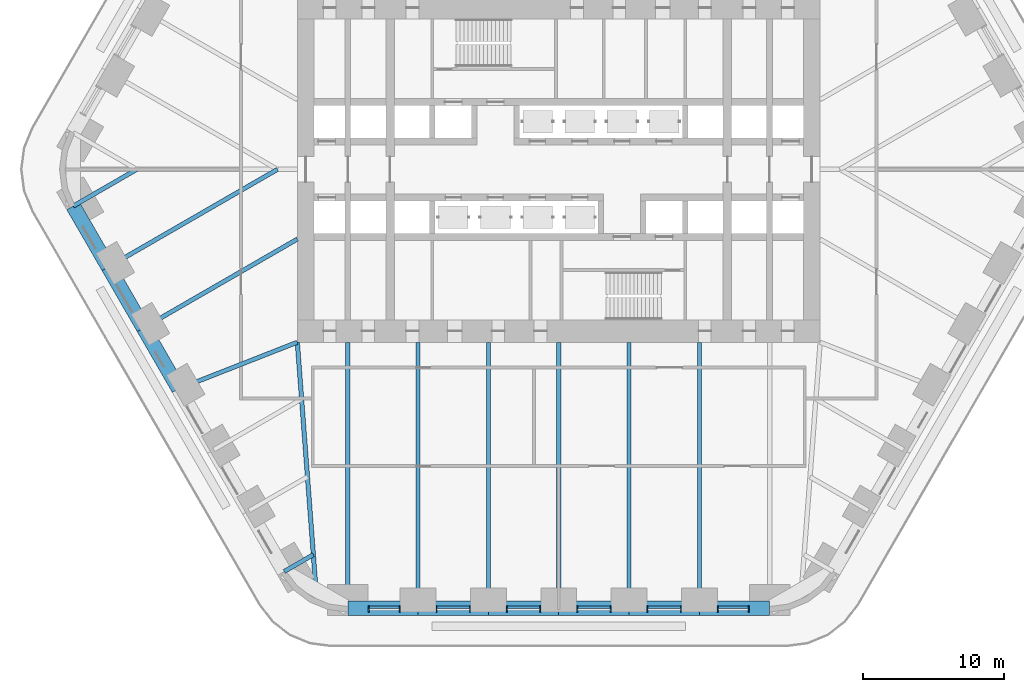
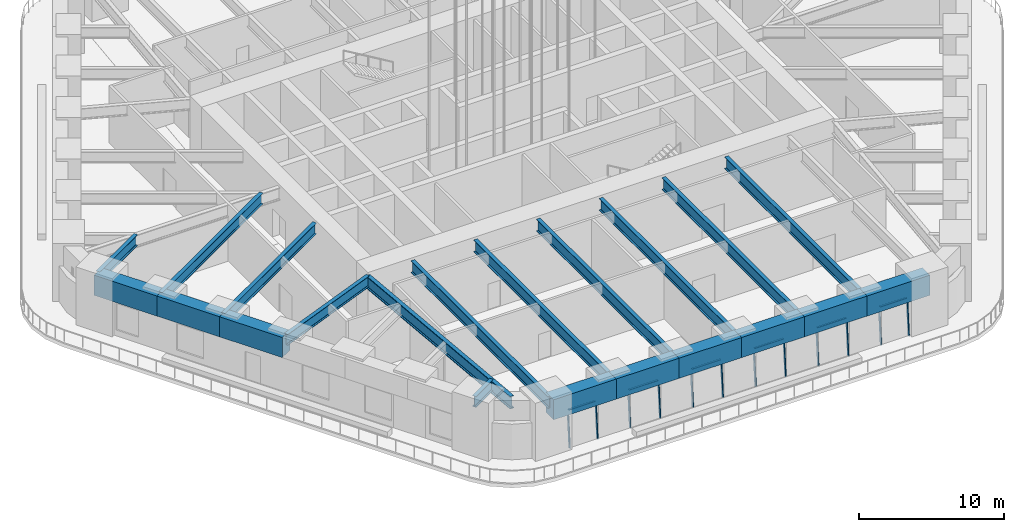
# One storey, part 2 of 15: 21 beams, 18 members, 6 elements without a shape of their own.
"""IFC4 building model written with IfcOpenShell, lengths in metres."""

from ifc_helpers import new_model, si_unit, direction, frame, origin, origin_2d, place, context, subcontext, project, spatial, rectangle, i_section, extrude, material, material_profile, profile_set, type_object, element, aggregate, save


model = new_model("IFC4")

# Units and contexts
model_context = context("Model", 3, precision=1e-05, world=origin(), true_north=direction((0.0, 1.0)))
body_context = subcontext(model_context, "Body", "Model", "MODEL_VIEW")
ifc_project = project(units=[si_unit("LENGTHUNIT", "METRE"), si_unit("AREAUNIT", "SQUARE_METRE"), si_unit("VOLUMEUNIT", "CUBIC_METRE"), si_unit("PLANEANGLEUNIT", "RADIAN"), si_unit("MASSUNIT", "GRAM", prefix="KILO")], contexts=[model_context])

# Site, building, storey
site_placement = place(None, origin())
site = spatial("IfcSite", under=ifc_project, at=site_placement, CompositionType="ELEMENT")
building_placement = place(site_placement, origin())
building = spatial("IfcBuilding", under=site, at=building_placement, Name="Tarfa Lantern Tower", CompositionType="ELEMENT")
storey_placement = place(building_placement, frame((0.0, 0.0, 114.5)))
storey = spatial("IfcBuildingStorey", under=building, at=storey_placement, Name="L25", CompositionType="ELEMENT", Elevation=114.5)

# Curtain wall, members
ifc_material_1 = material(Name="Aluminium framed curtain wall", Category="aluminium")
curtain_wall_type = type_object("IfcCurtainWallType", Name="CW5 CANTED GLAZING SKY LOBBY 3100", PredefinedType="USERDEFINED", material=ifc_material_1)
curtain_wall_1_placement = place(storey_placement, origin())
curtain_wall_1 = element("IfcCurtainWall", 1, at=curtain_wall_1_placement, inside=storey, type_object=curtain_wall_type, Name="CW5 S L25", ObjectType="CURTAIN WALL", PredefinedType="USERDEFINED")
ifc_material_2 = material(Name="Aluminium mullion", Category="aluminium")
ifc_material_profile_1 = material_profile(ifc_material_2, rectangle(XDim=0.06494140625, YDim=0.199951171875, at=origin_2d()), Name="AL MULLION 65x200")
ifc_profile_set_1 = profile_set([ifc_material_profile_1], Name="Aluminium mullion")
member_type_1 = type_object("IfcMemberType", Name="CWM1 MULLION 65x200", PredefinedType="MULLION", material=ifc_profile_set_1)
member_1_placement = place(storey_placement, frame((-13.528564453125, -31.39990234375, 0.0), z_axis=(0.0, 0.080381674097, 0.996764157898), x_axis=(-1.0, 0.0, 0.0)))
member_1 = element("IfcMember", 2, at=member_1_placement, type_object=member_type_1, Name="CW5 mullion 1", PredefinedType="MULLION", context=body_context, shape_type="SweptSolid", body=[
    extrude(rectangle(XDim=0.06494140625, YDim=0.199951171875, at=origin_2d()), origin(), (0.0, 0.0, 1.0), 3.110107421875),
])
member_2_placement = place(storey_placement, frame((-11.31494140625, -31.39990234375, 0.0), z_axis=(0.0, 0.080381674097, 0.996764157898), x_axis=(-1.0, 0.0, 0.0)))
member_2 = element("IfcMember", 3, at=member_2_placement, type_object=member_type_1, Name="CW5 mullion 2", PredefinedType="MULLION", context=body_context, shape_type="SweptSolid", body=[
    extrude(rectangle(XDim=0.06494140625, YDim=0.199951171875, at=origin_2d()), origin(), (0.0, 0.0, 1.0), 3.110107421875),
])

curtain_wall_2_placement = place(storey_placement, origin())
curtain_wall_2 = element("IfcCurtainWall", 4, at=curtain_wall_2_placement, inside=storey, type_object=curtain_wall_type, Name="CW5 S L25", ObjectType="CURTAIN WALL", PredefinedType="USERDEFINED")
member_3_placement = place(storey_placement, frame((-8.699951171875, -31.39990234375, 0.0), z_axis=(0.0, 0.080381674097, 0.996764157898), x_axis=(-1.0, 0.0, 0.0)))
member_3 = element("IfcMember", 5, at=member_3_placement, type_object=member_type_1, Name="CW5 mullion 1", PredefinedType="MULLION", context=body_context, shape_type="SweptSolid", body=[
    extrude(rectangle(XDim=0.06494140625, YDim=0.199951171875, at=origin_2d()), origin(), (0.0, 0.0, 1.0), 3.110107421875),
])
member_4_placement = place(storey_placement, frame((-6.311279296875, -31.39990234375, 0.0), z_axis=(0.0, 0.080381674097, 0.996764157898), x_axis=(-1.0, 0.0, 0.0)))
member_4 = element("IfcMember", 6, at=member_4_placement, type_object=member_type_1, Name="CW5 mullion 2", PredefinedType="MULLION", context=body_context, shape_type="SweptSolid", body=[
    extrude(rectangle(XDim=0.06494140625, YDim=0.199951171875, at=origin_2d()), origin(), (0.0, 0.0, 1.0), 3.110107421875),
])

curtain_wall_3_placement = place(storey_placement, origin())
curtain_wall_3 = element("IfcCurtainWall", 7, at=curtain_wall_3_placement, inside=storey, type_object=curtain_wall_type, Name="CW5 S L25", ObjectType="CURTAIN WALL", PredefinedType="USERDEFINED")
member_5_placement = place(storey_placement, frame((-3.6962890625, -31.39990234375, 0.0), z_axis=(0.0, 0.080381674097, 0.996764157898), x_axis=(-1.0, 0.0, 0.0)))
member_5 = element("IfcMember", 8, at=member_5_placement, type_object=member_type_1, Name="CW5 mullion 1", PredefinedType="MULLION", context=body_context, shape_type="SweptSolid", body=[
    extrude(rectangle(XDim=0.06494140625, YDim=0.199951171875, at=origin_2d()), origin(), (0.0, 0.0, 1.0), 3.110107421875),
])
member_6_placement = place(storey_placement, frame((-1.3076171875, -31.39990234375, 0.0), z_axis=(0.0, 0.080381674097, 0.996764157898), x_axis=(-1.0, 0.0, 0.0)))
member_6 = element("IfcMember", 9, at=member_6_placement, type_object=member_type_1, Name="CW5 mullion 2", PredefinedType="MULLION", context=body_context, shape_type="SweptSolid", body=[
    extrude(rectangle(XDim=0.06494140625, YDim=0.199951171875, at=origin_2d()), origin(), (0.0, 0.0, 1.0), 3.110107421875),
])

curtain_wall_4_placement = place(storey_placement, origin())
curtain_wall_4 = element("IfcCurtainWall", 10, at=curtain_wall_4_placement, inside=storey, type_object=curtain_wall_type, Name="CW5 S L25", ObjectType="CURTAIN WALL", PredefinedType="USERDEFINED")
member_7_placement = place(storey_placement, frame((1.3076171875, -31.39990234375, 0.0), z_axis=(0.0, 0.080381674097, 0.996764157898), x_axis=(-1.0, 0.0, 0.0)))
member_7 = element("IfcMember", 11, at=member_7_placement, type_object=member_type_1, Name="CW5 mullion 1", PredefinedType="MULLION", context=body_context, shape_type="SweptSolid", body=[
    extrude(rectangle(XDim=0.06494140625, YDim=0.199951171875, at=origin_2d()), origin(), (0.0, 0.0, 1.0), 3.110107421875),
])
member_8_placement = place(storey_placement, frame((3.6962890625, -31.39990234375, 0.0), z_axis=(0.0, 0.080381674097, 0.996764157898), x_axis=(-1.0, 0.0, 0.0)))
member_8 = element("IfcMember", 12, at=member_8_placement, type_object=member_type_1, Name="CW5 mullion 2", PredefinedType="MULLION", context=body_context, shape_type="SweptSolid", body=[
    extrude(rectangle(XDim=0.06494140625, YDim=0.199951171875, at=origin_2d()), origin(), (0.0, 0.0, 1.0), 3.110107421875),
])

curtain_wall_5_placement = place(storey_placement, origin())
curtain_wall_5 = element("IfcCurtainWall", 13, at=curtain_wall_5_placement, inside=storey, type_object=curtain_wall_type, Name="CW5 S L25", ObjectType="CURTAIN WALL", PredefinedType="USERDEFINED")
member_9_placement = place(storey_placement, frame((6.311279296875, -31.39990234375, 0.0), z_axis=(0.0, 0.080381674097, 0.996764157898), x_axis=(-1.0, 0.0, 0.0)))
member_9 = element("IfcMember", 14, at=member_9_placement, type_object=member_type_1, Name="CW5 mullion 1", PredefinedType="MULLION", context=body_context, shape_type="SweptSolid", body=[
    extrude(rectangle(XDim=0.06494140625, YDim=0.199951171875, at=origin_2d()), origin(), (0.0, 0.0, 1.0), 3.110107421875),
])
member_10_placement = place(storey_placement, frame((8.699951171875, -31.39990234375, 0.0), z_axis=(0.0, 0.080381674097, 0.996764157898), x_axis=(-1.0, 0.0, 0.0)))
member_10 = element("IfcMember", 15, at=member_10_placement, type_object=member_type_1, Name="CW5 mullion 2", PredefinedType="MULLION", context=body_context, shape_type="SweptSolid", body=[
    extrude(rectangle(XDim=0.06494140625, YDim=0.199951171875, at=origin_2d()), origin(), (0.0, 0.0, 1.0), 3.110107421875),
])

curtain_wall_6_placement = place(storey_placement, origin())
curtain_wall_6 = element("IfcCurtainWall", 16, at=curtain_wall_6_placement, inside=storey, type_object=curtain_wall_type, Name="CW5 S L25", ObjectType="CURTAIN WALL", PredefinedType="USERDEFINED")
member_11_placement = place(storey_placement, frame((11.31494140625, -31.39990234375, 0.0), z_axis=(0.0, 0.080381674097, 0.996764157898), x_axis=(-1.0, 0.0, 0.0)))
member_11 = element("IfcMember", 17, at=member_11_placement, type_object=member_type_1, Name="CW5 mullion 1", PredefinedType="MULLION", context=body_context, shape_type="SweptSolid", body=[
    extrude(rectangle(XDim=0.06494140625, YDim=0.199951171875, at=origin_2d()), origin(), (0.0, 0.0, 1.0), 3.110107421875),
])
member_12_placement = place(storey_placement, frame((13.528564453125, -31.39990234375, 0.0), z_axis=(0.0, 0.080381674097, 0.996764157898), x_axis=(-1.0, 0.0, 0.0)))
member_12 = element("IfcMember", 18, at=member_12_placement, type_object=member_type_1, Name="CW5 mullion 2", PredefinedType="MULLION", context=body_context, shape_type="SweptSolid", body=[
    extrude(rectangle(XDim=0.06494140625, YDim=0.199951171875, at=origin_2d()), origin(), (0.0, 0.0, 1.0), 3.110107421875),
])

# Member
ifc_material_3 = material(Name="Aluminium transom", Category="aluminium")
ifc_material_profile_2 = material_profile(ifc_material_3, rectangle(XDim=0.14990234375, YDim=0.06494140625, at=origin_2d()), Name="AL TRANSOM 150x65")
ifc_profile_set_2 = profile_set([ifc_material_profile_2], Name="Aluminium transom")
member_type_2 = type_object("IfcMemberType", Name="CWT1 TRANSOM 150x65", PredefinedType="USERDEFINED", material=ifc_profile_set_2)
member_13_placement = place(storey_placement, frame((-13.49609375, -31.152587890625, 3.0673828125), z_axis=(1.0, 0.0, 0.0), x_axis=(0.0, 1.0, 0.0)))
member_13 = element("IfcMember", 19, at=member_13_placement, type_object=member_type_2, Name="CW5 transom 1.2", ObjectType="TRANSOM", PredefinedType="USERDEFINED", context=body_context, shape_type="SweptSolid", body=[
    extrude(rectangle(XDim=0.14990234375, YDim=0.06494140625, at=origin_2d()), origin(), (0.0, 0.0, 1.0), 2.148681640625),
])

aggregate(curtain_wall_1, [member_1, member_2, member_13])

member_14_placement = place(storey_placement, frame((-8.66748046875, -31.152587890625, 3.0673828125), z_axis=(1.0, 0.0, 0.0), x_axis=(0.0, 1.0, 0.0)))
member_14 = element("IfcMember", 20, at=member_14_placement, type_object=member_type_2, Name="CW5 transom 1.2", ObjectType="TRANSOM", PredefinedType="USERDEFINED", context=body_context, shape_type="SweptSolid", body=[
    extrude(rectangle(XDim=0.14990234375, YDim=0.06494140625, at=origin_2d()), origin(), (0.0, 0.0, 1.0), 2.32373046875),
])

aggregate(curtain_wall_2, [member_3, member_4, member_14])

member_15_placement = place(storey_placement, frame((-3.663818359375, -31.152587890625, 3.0673828125), z_axis=(1.0, 0.0, 0.0), x_axis=(0.0, 1.0, 0.0)))
member_15 = element("IfcMember", 21, at=member_15_placement, type_object=member_type_2, Name="CW5 transom 1.2", ObjectType="TRANSOM", PredefinedType="USERDEFINED", context=body_context, shape_type="SweptSolid", body=[
    extrude(rectangle(XDim=0.14990234375, YDim=0.06494140625, at=origin_2d()), origin(), (0.0, 0.0, 1.0), 2.32373046875),
])

aggregate(curtain_wall_3, [member_5, member_6, member_15])

member_16_placement = place(storey_placement, frame((1.340087890625, -31.152587890625, 3.0673828125), z_axis=(1.0, 0.0, 0.0), x_axis=(0.0, 1.0, 0.0)))
member_16 = element("IfcMember", 22, at=member_16_placement, type_object=member_type_2, Name="CW5 transom 1.2", ObjectType="TRANSOM", PredefinedType="USERDEFINED", context=body_context, shape_type="SweptSolid", body=[
    extrude(rectangle(XDim=0.14990234375, YDim=0.06494140625, at=origin_2d()), origin(), (0.0, 0.0, 1.0), 2.32373046875),
])

aggregate(curtain_wall_4, [member_7, member_8, member_16])

member_17_placement = place(storey_placement, frame((6.34375, -31.152587890625, 3.0673828125), z_axis=(1.0, 0.0, 0.0), x_axis=(0.0, 1.0, 0.0)))
member_17 = element("IfcMember", 23, at=member_17_placement, type_object=member_type_2, Name="CW5 transom 1.2", ObjectType="TRANSOM", PredefinedType="USERDEFINED", context=body_context, shape_type="SweptSolid", body=[
    extrude(rectangle(XDim=0.14990234375, YDim=0.06494140625, at=origin_2d()), origin(), (0.0, 0.0, 1.0), 2.32373046875),
])

aggregate(curtain_wall_5, [member_9, member_10, member_17])

member_18_placement = place(storey_placement, frame((11.347412109375, -31.152587890625, 3.0673828125), z_axis=(1.0, 0.0, 0.0), x_axis=(0.0, 1.0, 0.0)))
member_18 = element("IfcMember", 24, at=member_18_placement, type_object=member_type_2, Name="CW5 transom 1.2", ObjectType="TRANSOM", PredefinedType="USERDEFINED", context=body_context, shape_type="SweptSolid", body=[
    extrude(rectangle(XDim=0.14990234375, YDim=0.06494140625, at=origin_2d()), origin(), (0.0, 0.0, 1.0), 2.148681640625),
])

aggregate(curtain_wall_6, [member_11, member_12, member_18])

# Beams
ifc_material_4 = material(Name="Concrete C80/95", Category="concrete")
ifc_material_profile_3 = material_profile(ifc_material_4, rectangle(XDim=1.050048828125, YDim=1.699951171875, at=origin_2d()), Name="RC 1050x1700")
ifc_profile_set_3 = profile_set([ifc_material_profile_3], Name="Concrete C80/95")
beam_type_1 = type_object("IfcBeamType", Name="RB2 RC 1050x1700", PredefinedType="BEAM", material=ifc_profile_set_3)
for number, where, z_axis, x_axis, name in (
    (25, (-34.54296875, -2.610107421875, 3.949951171875), (0.500022324899, -0.866012514114, 0.0), (0.866012514114, 0.500022324899, 0.0), "Edge beam SW0"),
    (26, (-32.041015625, -6.943359375, 3.949951171875), (0.500022324899, -0.866012514114, 0.0), (0.866012514114, 0.500022324899, 0.0), "Edge beam SW1"),
    (27, (-29.5390625, -11.276611328125, 3.949951171875), (0.499964603504, -0.866045838996, 0.0), (0.866045838996, 0.499964603504, 0.0), "Edge beam SW2"),
    (28, (-15.010986328125, -31.219970703125, 3.949951171875), (1.0, 0.0, 0.0), (0.0, 1.0, 0.0), "Edge beam S0"),
    (29, (-10.00732421875, -31.219970703125, 3.949951171875), (1.0, 0.0, 0.0), (0.0, 1.0, 0.0), "Edge beam S1"),
    (30, (-5.003662109375, -31.219970703125, 3.949951171875), (1.0, 0.0, 0.0), (0.0, 1.0, 0.0), "Edge beam S2"),
    (31, (0.0, -31.219970703125, 3.949951171875), (1.0, 0.0, 0.0), (0.0, 1.0, 0.0), "Edge beam S3"),
    (32, (5.003662109375, -31.219970703125, 3.949951171875), (1.0, 0.0, 0.0), (0.0, 1.0, 0.0), "Edge beam S4"),
    (33, (10.00732421875, -31.219970703125, 3.949951171875), (1.0, 0.0, 0.0), (0.0, 1.0, 0.0), "Edge beam S5"),
):
    element("IfcBeam", number, at=place(storey_placement, frame(where, z_axis=z_axis, x_axis=x_axis)), inside=storey, type_object=beam_type_1, Name=name, PredefinedType="BEAM", context=body_context, shape_type="SweptSolid", body=[
        extrude(rectangle(XDim=1.050048828125, YDim=1.699951171875, at=origin_2d()), origin(), (0.0, 0.0, 1.0), 5.003662109375),
    ])
ifc_material_5 = material(Name="Steel S460M", Category="steel")
ifc_material_profile_4 = material_profile(ifc_material_5, i_section(OverallWidth=0.302001953125, OverallDepth=1.008056640625, WebThickness=0.02099609375, FlangeThickness=0.0400390625, FilletRadius=0.030029296875, at=origin_2d()), Name="UB1016x305x349")
ifc_profile_set_4 = profile_set([ifc_material_profile_4], Name="Steel S460M")
beam_type_2 = type_object("IfcBeamType", Name="UB1016x305x349", PredefinedType="BEAM", material=ifc_profile_set_4)
for number, where, z_axis, x_axis, name in (
    (34, (-15.010986328125, -31.219970703125, 4.2958984375), (0.0, 1.0, 0.0), (-1.0, 0.0, 0.0), "Floor beam S0"),
    (35, (-10.00732421875, -31.219970703125, 4.2958984375), (0.0, 1.0, 0.0), (-1.0, 0.0, 0.0), "Floor beam S1"),
    (36, (-5.003662109375, -31.219970703125, 4.2958984375), (0.0, 1.0, 0.0), (-1.0, 0.0, 0.0), "Floor beam S2"),
    (37, (0.0, -31.219970703125, 4.2958984375), (0.0, 1.0, 0.0), (-1.0, 0.0, 0.0), "Floor beam S3"),
    (38, (5.003662109375, -31.219970703125, 4.2958984375), (0.0, 1.0, 0.0), (-1.0, 0.0, 0.0), "Floor beam S4"),
    (39, (10.00732421875, -31.219970703125, 4.2958984375), (0.0, 1.0, 0.0), (-1.0, 0.0, 0.0), "Floor beam S5"),
):
    element("IfcBeam", number, at=place(storey_placement, frame(where, z_axis=z_axis, x_axis=x_axis)), inside=storey, type_object=beam_type_2, Name=name, PredefinedType="BEAM", context=body_context, shape_type="SweptSolid", body=[
        extrude(i_section(OverallWidth=0.302001953125, OverallDepth=1.008056640625, WebThickness=0.02099609375, FlangeThickness=0.0400390625, FilletRadius=0.030029296875, at=origin_2d()), origin(), (0.0, 0.0, 1.0), 18.919921875),
    ])
ifc_material_profile_5 = material_profile(ifc_material_5, i_section(OverallWidth=0.314208984375, OverallDepth=1.055908203125, WebThickness=0.035888671875, FlangeThickness=0.06396484375, FilletRadius=0.030029296875, at=origin_2d()), Name="UB1016x305x584")
ifc_profile_set_5 = profile_set([ifc_material_profile_5], Name="Steel S460M")
beam_type_3 = type_object("IfcBeamType", Name="UB1016x305x584", PredefinedType="BEAM", material=ifc_profile_set_5)
beam_1_placement = place(storey_placement, frame((-18.60009765625, -12.300048828125, 4.27197265625), z_axis=(0.075211516041, -0.99716760269, 0.0), x_axis=(0.99716760269, 0.075211516041, 0.0)))
element("IfcBeam", 40, at=beam_1_placement, inside=storey, type_object=beam_type_3, Name="Hip girder SW", PredefinedType="BEAM", context=body_context, shape_type="SweptSolid", body=[
    extrude(i_section(OverallWidth=0.314208984375, OverallDepth=1.055908203125, WebThickness=0.035888671875, FlangeThickness=0.06396484375, FilletRadius=0.030029296875, at=origin_2d()), origin(), (0.0, 0.0, 1.0), 17.6650390625),
])
ifc_material_profile_6 = material_profile(ifc_material_5, i_section(OverallWidth=0.305419921875, OverallDepth=0.91845703125, WebThickness=0.017333984375, FlangeThickness=0.02783203125, FilletRadius=0.01904296875, at=origin_2d()), Name="UB914x305x253")
ifc_profile_set_6 = profile_set([ifc_material_profile_6], Name="Steel S460M")
beam_type_4 = type_object("IfcBeamType", Name="UB914x305x253", PredefinedType="BEAM", material=ifc_profile_set_6)
beam_2_placement = place(storey_placement, frame((-34.54296875, -2.610107421875, 4.3408203125), z_axis=(0.866021250859, 0.500007193008, 0.0), x_axis=(-0.500007193008, 0.866021250859, 0.0)))
element("IfcBeam", 41, at=beam_2_placement, inside=storey, type_object=beam_type_4, Name="Floor beam SW0", PredefinedType="BEAM", context=body_context, shape_type="SweptSolid", body=[
    extrude(i_section(OverallWidth=0.305419921875, OverallDepth=0.91845703125, WebThickness=0.017333984375, FlangeThickness=0.02783203125, FilletRadius=0.01904296875, at=origin_2d()), origin(), (0.0, 0.0, 1.0), 5.22021484375),
])
beam_3_placement = place(storey_placement, frame((-32.041015625, -6.943359375, 4.3408203125), z_axis=(0.866023096411, 0.500003996466, 0.0), x_axis=(-0.500003996466, 0.866023096411, 0.0)))
element("IfcBeam", 42, at=beam_3_placement, inside=storey, type_object=beam_type_4, Name="Floor beam SW1", PredefinedType="BEAM", context=body_context, shape_type="SweptSolid", body=[
    extrude(i_section(OverallWidth=0.305419921875, OverallDepth=0.91845703125, WebThickness=0.017333984375, FlangeThickness=0.02783203125, FilletRadius=0.01904296875, at=origin_2d()), origin(), (0.0, 0.0, 1.0), 13.88671875),
])
beam_4_placement = place(storey_placement, frame((-29.5390625, -11.276611328125, 4.3408203125), z_axis=(0.866023362995, 0.500003534735, 0.0), x_axis=(-0.500003534735, 0.866023362995, 0.0)))
element("IfcBeam", 43, at=beam_4_placement, inside=storey, type_object=beam_type_4, Name="Floor beam SW2", PredefinedType="BEAM", context=body_context, shape_type="SweptSolid", body=[
    extrude(i_section(OverallWidth=0.305419921875, OverallDepth=0.91845703125, WebThickness=0.017333984375, FlangeThickness=0.02783203125, FilletRadius=0.01904296875, at=origin_2d()), origin(), (0.0, 0.0, 1.0), 12.63134765625),
])
beam_5_placement = place(storey_placement, frame((-27.037353515625, -15.610107421875, 4.3408203125), z_axis=(0.930923282782, 0.365214788274, 0.0), x_axis=(-0.365214788274, 0.930923282782, 0.0)))
element("IfcBeam", 44, at=beam_5_placement, inside=storey, type_object=beam_type_4, Name="Floor beam SW3", PredefinedType="BEAM", context=body_context, shape_type="SweptSolid", body=[
    extrude(i_section(OverallWidth=0.305419921875, OverallDepth=0.91845703125, WebThickness=0.017333984375, FlangeThickness=0.02783203125, FilletRadius=0.01904296875, at=origin_2d()), origin(), (0.0, 0.0, 1.0), 9.063232421875),
])
beam_6_placement = place(storey_placement, frame((-19.53173828125, -28.610107421875, 4.3408203125), z_axis=(0.865998640954, 0.500046351717, 0.0), x_axis=(-0.500046351717, 0.865998640954, 0.0)))
element("IfcBeam", 45, at=beam_6_placement, inside=storey, type_object=beam_type_4, Name="Floor beam SW6", PredefinedType="BEAM", context=body_context, shape_type="SweptSolid", body=[
    extrude(i_section(OverallWidth=0.305419921875, OverallDepth=0.91845703125, WebThickness=0.017333984375, FlangeThickness=0.02783203125, FilletRadius=0.01904296875, at=origin_2d()), origin(), (0.0, 0.0, 1.0), 2.392333984375),
])

save(model, "model.ifc")
